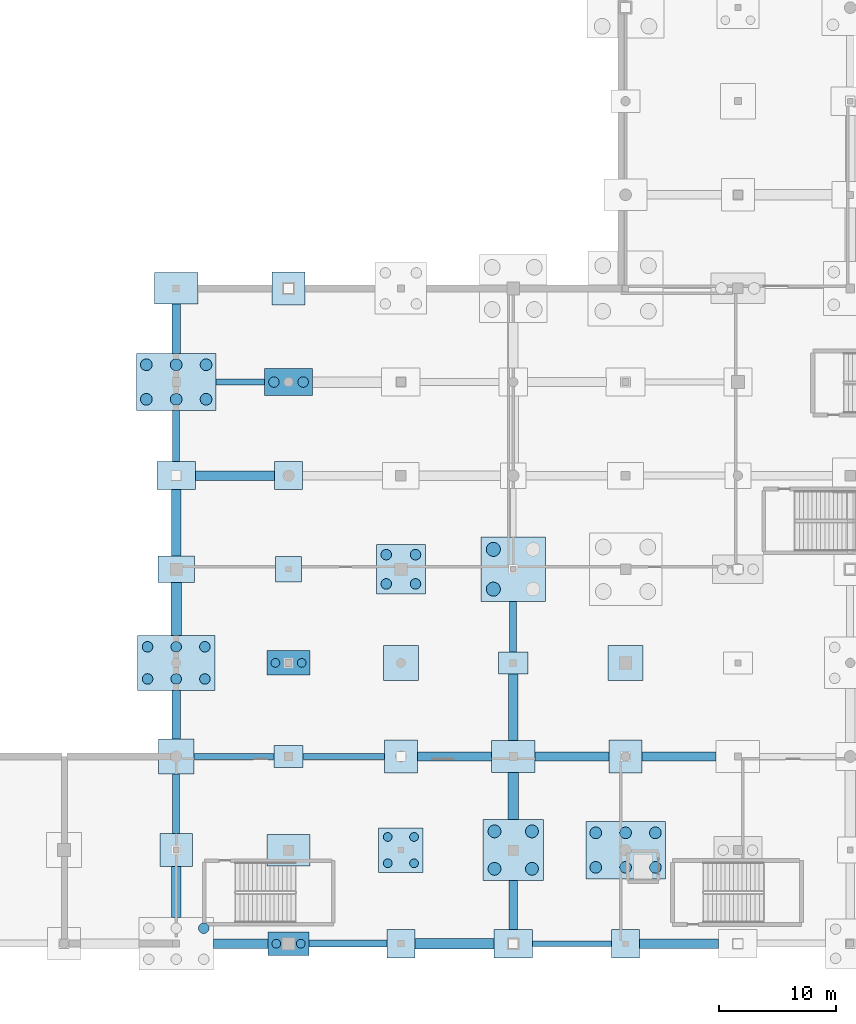
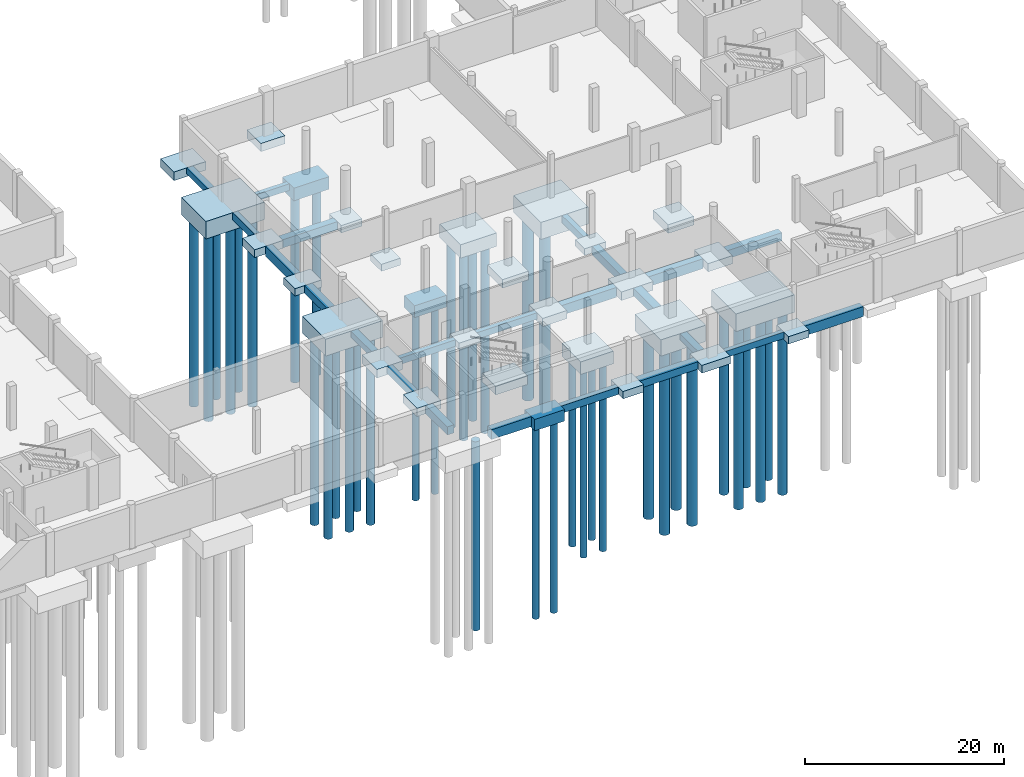
# One storey, part 10 of 44: 52 footings, 39 piles.
"""IFC4 building model written with IfcOpenShell, lengths in metres."""

from ifc_helpers import new_model, si_unit, direction, frame, origin, origin_2d, place, context, subcontext, project, spatial, rectangle, circle, extrude, material, material_profile, profile_set, type_object, element, save


model = new_model("IFC4")

# Units and contexts
model_context = context("Model", 3, precision=1e-05, world=origin(), true_north=direction((0.0, 1.0)))
body_context = subcontext(model_context, "Body", "Model", "MODEL_VIEW")
ifc_project = project(units=[si_unit("LENGTHUNIT", "METRE"), si_unit("AREAUNIT", "SQUARE_METRE"), si_unit("VOLUMEUNIT", "CUBIC_METRE"), si_unit("PLANEANGLEUNIT", "RADIAN"), si_unit("MASSUNIT", "GRAM", prefix="KILO")], contexts=[model_context])

# Site, building, storey
site_placement = place(None, origin())
site = spatial("IfcSite", under=ifc_project, at=site_placement, CompositionType="ELEMENT")
building_placement = place(site_placement, origin())
building = spatial("IfcBuilding", under=site, at=building_placement, Name="Danafjord Basin Convention Centre", CompositionType="ELEMENT")
storey_placement = place(building_placement, frame((0.0, 0.0, -5.39990234375)))
storey = spatial("IfcBuildingStorey", under=building, at=storey_placement, Name="B1", CompositionType="ELEMENT", Elevation=-5.39990234375)

# Footings
ifc_material_1 = material(Name="Concrete C40/50", Category="concrete")
footing_type_1 = type_object("IfcFootingType", Name="CAP-PC-01", PredefinedType="PILE_CAP", material=ifc_material_1)
footing_1_placement = place(storey_placement, frame((153.60009765625, 8.0, -1.400146484375), z_axis=(0.0, 0.0, 1.0), x_axis=(1.0, 0.0, 0.0)))
element("IfcFooting", 1, at=footing_1_placement, inside=storey, type_object=footing_type_1, Name="B1 pile cap PC-01 at (153.6, 8.0)", PredefinedType="PILE_CAP", context=body_context, shape_type="SweptSolid", body=[
    extrude(rectangle(XDim=3.5, YDim=2.0, at=origin_2d()), origin(), (0.0, 0.0, 1.0), 1.39990234375),
])
footing_type_2 = type_object("IfcFootingType", Name="CAP-PC-02", PredefinedType="PILE_CAP", material=ifc_material_1)
footing_2_placement = place(storey_placement, frame((153.60009765625, 32.0, -2.0), z_axis=(0.0, 0.0, 1.0), x_axis=(1.0, 0.0, 0.0)))
element("IfcFooting", 2, at=footing_2_placement, inside=storey, type_object=footing_type_2, Name="B1 pile cap PC-02 at (153.6, 32.0)", PredefinedType="PILE_CAP", context=body_context, shape_type="SweptSolid", body=[
    extrude(rectangle(XDim=3.699951171875, YDim=2.10009765625, at=origin_2d()), origin(), (0.0, 0.0, 1.0), 1.449951171875),
])
footing_type_3 = type_object("IfcFootingType", Name="CAP-PC-03", PredefinedType="PILE_CAP", material=ifc_material_1)
footing_3_placement = place(storey_placement, frame((153.60009765625, 56.0, -2.10009765625), z_axis=(0.0, 0.0, 1.0), x_axis=(1.0, 0.0, 0.0)))
element("IfcFooting", 3, at=footing_3_placement, inside=storey, type_object=footing_type_3, Name="B1 pile cap PC-03 at (153.6, 56.0)", PredefinedType="PILE_CAP", context=body_context, shape_type="SweptSolid", body=[
    extrude(rectangle(XDim=4.10009765625, YDim=2.300048828125, at=origin_2d()), origin(), (0.0, 0.0, 1.0), 1.550048828125),
])
footing_type_4 = type_object("IfcFootingType", Name="CAP-PC-07", PredefinedType="PILE_CAP", material=ifc_material_1)
footing_4_placement = place(storey_placement, frame((163.199951171875, 16.0, -2.10009765625), z_axis=(0.0, 0.0, 1.0), x_axis=(1.0, 0.0, 0.0)))
element("IfcFooting", 4, at=footing_4_placement, inside=storey, type_object=footing_type_4, Name="B1 pile cap PC-07 at (163.2, 16.0)", PredefinedType="PILE_CAP", context=body_context, shape_type="SweptSolid", body=[
    extrude(rectangle(XDim=3.800048828125, YDim=3.800048828125, at=origin_2d()), origin(), (0.0, 0.0, 1.0), 1.550048828125),
])
footing_type_5 = type_object("IfcFootingType", Name="CAP-PC-08", PredefinedType="PILE_CAP", material=ifc_material_1)
footing_5_placement = place(storey_placement, frame((163.199951171875, 40.0, -2.199951171875), z_axis=(0.0, 0.0, 1.0), x_axis=(1.0, 0.0, 0.0)))
element("IfcFooting", 5, at=footing_5_placement, inside=storey, type_object=footing_type_5, Name="B1 pile cap PC-08 at (163.2, 40.0)", PredefinedType="PILE_CAP", context=body_context, shape_type="SweptSolid", body=[
    extrude(rectangle(XDim=4.199951171875, YDim=4.199951171875, at=origin_2d()), origin(), (0.0, 0.0, 1.0), 1.64990234375),
])
footing_type_6 = type_object("IfcFootingType", Name="CAP-PC-13", PredefinedType="PILE_CAP", material=ifc_material_1)
footing_6_placement = place(storey_placement, frame((172.800048828125, 16.0, -2.550048828125), z_axis=(0.0, 0.0, 1.0), x_axis=(1.0, 0.0, 0.0)))
element("IfcFooting", 6, at=footing_6_placement, inside=storey, type_object=footing_type_6, Name="B1 pile cap PC-13 at (172.8, 16.0)", PredefinedType="PILE_CAP", context=body_context, shape_type="SweptSolid", body=[
    extrude(rectangle(XDim=5.199951171875, YDim=5.199951171875, at=origin_2d()), origin(), (0.0, 0.0, 1.0), 2.0),
])
footing_type_7 = type_object("IfcFootingType", Name="CAP-PC-14", PredefinedType="PILE_CAP", material=ifc_material_1)
footing_7_placement = place(storey_placement, frame((172.800048828125, 40.0, -2.650146484375), z_axis=(0.0, 0.0, 1.0), x_axis=(1.0, 0.0, 0.0)))
element("IfcFooting", 7, at=footing_7_placement, inside=storey, type_object=footing_type_7, Name="B1 pile cap PC-14 at (172.8, 40.0)", PredefinedType="PILE_CAP", context=body_context, shape_type="SweptSolid", body=[
    extrude(rectangle(XDim=5.5, YDim=5.5, at=origin_2d()), origin(), (0.0, 0.0, 1.0), 2.10009765625),
])
footing_type_8 = type_object("IfcFootingType", Name="CAP-PC-18", PredefinedType="PILE_CAP", material=ifc_material_1)
footing_8_placement = place(storey_placement, frame((144.0, 32.0, -2.05029296875), z_axis=(0.0, 0.0, 1.0), x_axis=(1.0, 0.0, 0.0)))
element("IfcFooting", 8, at=footing_8_placement, inside=storey, type_object=footing_type_8, Name="B1 pile cap PC-18 at (144.0, 32.0)", PredefinedType="PILE_CAP", context=body_context, shape_type="SweptSolid", body=[
    extrude(rectangle(XDim=6.60009765625, YDim=4.699951171875, at=origin_2d()), origin(), (0.0, 0.0, 1.0), 2.050048828125),
])
footing_type_9 = type_object("IfcFootingType", Name="CAP-PC-19", PredefinedType="PILE_CAP", material=ifc_material_1)
for number, where, z_axis, x_axis, name in (
    (9, (144.0, 56.0, -2.150146484375), (0.0, 0.0, 1.0), (1.0, 0.0, 0.0), "B1 pile cap PC-19 at (144.0, 56.0)"),
    (10, (182.39990234375, 16.0, -2.699951171875), (0.0, 0.0, 1.0), (1.0, 0.0, 0.0), "B1 pile cap PC-19 at (182.4, 16.0)"),
):
    element("IfcFooting", number, at=place(storey_placement, frame(where, z_axis=z_axis, x_axis=x_axis)), inside=storey, type_object=footing_type_9, Name=name, PredefinedType="PILE_CAP", context=body_context, shape_type="SweptSolid", body=[
        extrude(rectangle(XDim=6.800048828125, YDim=4.89990234375, at=origin_2d()), origin(), (0.0, 0.0, 1.0), 2.14990234375),
    ])
ifc_material_profile_1 = material_profile(ifc_material_1, rectangle(XDim=0.800048828125, YDim=1.0, at=origin_2d()), Name="GB 800x1000")
ifc_profile_set_1 = profile_set([ifc_material_profile_1], Name="Concrete C40/50")
footing_type_10 = type_object("IfcFootingType", Name="FBM-FB-01", PredefinedType="FOOTING_BEAM", material=ifc_profile_set_1)
footing_9_placement = place(storey_placement, frame((144.0, 10.25, -0.5), z_axis=(0.0, 1.0, 0.0), x_axis=(-1.0, 0.0, 0.0)))
element("IfcFooting", 11, at=footing_9_placement, inside=storey, type_object=footing_type_10, Name="B1 foundation tie beam FB-01", PredefinedType="FOOTING_BEAM", context=body_context, shape_type="SweptSolid", body=[
    extrude(rectangle(XDim=0.800048828125, YDim=1.0, at=origin_2d()), origin(), (0.0, 0.0, 1.0), 4.35009765625),
])
footing_10_placement = place(storey_placement, frame((145.64990234375, 48.0, -1.050048828125), z_axis=(1.0, 0.0, 0.0), x_axis=(0.0, 1.0, 0.0)))
element("IfcFooting", 12, at=footing_10_placement, inside=storey, type_object=footing_type_10, Name="B1 foundation beam FB-01", PredefinedType="FOOTING_BEAM", context=body_context, shape_type="SweptSolid", body=[
    extrude(rectangle(XDim=0.800048828125, YDim=1.0, at=origin_2d()), origin(), (0.0, 0.0, 1.0), 6.75),
])
footing_11_placement = place(storey_placement, frame((172.800048828125, 25.35009765625, -1.050048828125), z_axis=(0.0, 1.0, 0.0), x_axis=(-1.0, 0.0, 0.0)))
element("IfcFooting", 13, at=footing_11_placement, inside=storey, type_object=footing_type_10, Name="B1 foundation tie beam FB-01", PredefinedType="FOOTING_BEAM", context=body_context, shape_type="SweptSolid", body=[
    extrude(rectangle(XDim=0.800048828125, YDim=1.0, at=origin_2d()), origin(), (0.0, 0.0, 1.0), 5.699951171875),
])
footing_12_placement = place(storey_placement, frame((183.800048828125, 24.0, -1.050048828125), z_axis=(1.0, 0.0, 0.0), x_axis=(0.0, 1.0, 0.0)))
element("IfcFooting", 14, at=footing_12_placement, inside=storey, type_object=footing_type_10, Name="B1 foundation beam FB-01", PredefinedType="FOOTING_BEAM", context=body_context, shape_type="SweptSolid", body=[
    extrude(rectangle(XDim=0.800048828125, YDim=1.0, at=origin_2d()), origin(), (0.0, 0.0, 1.0), 6.349853515625),
])
ifc_material_profile_2 = material_profile(ifc_material_1, rectangle(XDim=0.60009765625, YDim=0.89990234375, at=origin_2d()), Name="GB 600x900")
ifc_profile_set_2 = profile_set([ifc_material_profile_2], Name="Concrete C40/50")
footing_type_11 = type_object("IfcFootingType", Name="FBM-FB-02", PredefinedType="FOOTING_BEAM", material=ifc_profile_set_2)
footing_13_placement = place(storey_placement, frame((144.0, 17.39990234375, -0.4501953125), z_axis=(0.0, 1.0, 0.0), x_axis=(-1.0, 0.0, 0.0)))
element("IfcFooting", 15, at=footing_13_placement, inside=storey, type_object=footing_type_11, Name="B1 foundation tie beam FB-02", PredefinedType="FOOTING_BEAM", context=body_context, shape_type="SweptSolid", body=[
    extrude(rectangle(XDim=0.60009765625, YDim=0.89990234375, at=origin_2d()), origin(), (0.0, 0.0, 1.0), 5.10009765625),
])
footing_14_placement = place(storey_placement, frame((144.0, 49.199951171875, -0.4501953125), z_axis=(0.0, 1.0, 0.0), x_axis=(-1.0, 0.0, 0.0)))
element("IfcFooting", 16, at=footing_14_placement, inside=storey, type_object=footing_type_11, Name="B1 foundation tie beam FB-02", PredefinedType="FOOTING_BEAM", context=body_context, shape_type="SweptSolid", body=[
    extrude(rectangle(XDim=0.60009765625, YDim=0.89990234375, at=origin_2d()), origin(), (0.0, 0.0, 1.0), 4.35009765625),
])
footing_15_placement = place(storey_placement, frame((155.35009765625, 8.0, -0.4501953125), z_axis=(1.0, 0.0, 0.0), x_axis=(0.0, 1.0, 0.0)))
element("IfcFooting", 17, at=footing_15_placement, inside=storey, type_object=footing_type_11, Name="B1 foundation beam FB-02", PredefinedType="FOOTING_BEAM", context=body_context, shape_type="SweptSolid", body=[
    extrude(rectangle(XDim=0.60009765625, YDim=0.89990234375, at=origin_2d()), origin(), (0.0, 0.0, 1.0), 6.64990234375),
])
footing_16_placement = place(storey_placement, frame((172.800048828125, 32.949951171875, -1.0), z_axis=(0.0, 1.0, 0.0), x_axis=(-1.0, 0.0, 0.0)))
element("IfcFooting", 18, at=footing_16_placement, inside=storey, type_object=footing_type_11, Name="B1 foundation tie beam FB-02", PredefinedType="FOOTING_BEAM", context=body_context, shape_type="SweptSolid", body=[
    extrude(rectangle(XDim=0.60009765625, YDim=0.89990234375, at=origin_2d()), origin(), (0.0, 0.0, 1.0), 4.300048828125),
])
ifc_material_profile_3 = material_profile(ifc_material_1, rectangle(XDim=0.5, YDim=0.800048828125, at=origin_2d()), Name="PCB 500x800")
ifc_profile_set_3 = profile_set([ifc_material_profile_3], Name="Concrete C40/50")
footing_type_12 = type_object("IfcFootingType", Name="FBM-FB-03", PredefinedType="FOOTING_BEAM", material=ifc_profile_set_3)
footing_17_placement = place(storey_placement, frame((145.5, 24.0, -0.9501953125), z_axis=(1.0, 0.0, 0.0), x_axis=(0.0, 1.0, 0.0)))
element("IfcFooting", 19, at=footing_17_placement, inside=storey, type_object=footing_type_12, Name="B1 foundation beam FB-03", PredefinedType="FOOTING_BEAM", context=body_context, shape_type="SweptSolid", body=[
    extrude(rectangle(XDim=0.5, YDim=0.800048828125, at=origin_2d()), origin(), (0.0, 0.0, 1.0), 6.85009765625),
])
footing_18_placement = place(storey_placement, frame((147.39990234375, 56.0, -0.9501953125), z_axis=(1.0, 0.0, 0.0), x_axis=(0.0, 1.0, 0.0)))
element("IfcFooting", 20, at=footing_18_placement, inside=storey, type_object=footing_type_12, Name="B1 foundation beam FB-03", PredefinedType="FOOTING_BEAM", context=body_context, shape_type="SweptSolid", body=[
    extrude(rectangle(XDim=0.5, YDim=0.800048828125, at=origin_2d()), origin(), (0.0, 0.0, 1.0), 4.150146484375),
])
footing_19_placement = place(storey_placement, frame((154.85009765625, 24.0, -0.9501953125), z_axis=(1.0, 0.0, 0.0), x_axis=(0.0, 1.0, 0.0)))
element("IfcFooting", 21, at=footing_19_placement, inside=storey, type_object=footing_type_12, Name="B1 foundation beam FB-03", PredefinedType="FOOTING_BEAM", context=body_context, shape_type="SweptSolid", body=[
    extrude(rectangle(XDim=0.5, YDim=0.800048828125, at=origin_2d()), origin(), (0.0, 0.0, 1.0), 6.949951171875),
])
footing_20_placement = place(storey_placement, frame((174.449951171875, 8.0, -0.400146484375), z_axis=(1.0, 0.0, 0.0), x_axis=(0.0, 1.0, 0.0)))
element("IfcFooting", 22, at=footing_20_placement, inside=storey, type_object=footing_type_12, Name="B1 foundation beam FB-03", PredefinedType="FOOTING_BEAM", context=body_context, shape_type="SweptSolid", body=[
    extrude(rectangle(XDim=0.5, YDim=0.800048828125, at=origin_2d()), origin(), (0.0, 0.0, 1.0), 6.75),
])
ifc_material_profile_4 = material_profile(ifc_material_1, rectangle(XDim=0.75, YDim=0.75, at=origin_2d()), Name="RC 750x750")
ifc_profile_set_4 = profile_set([ifc_material_profile_4], Name="Concrete C40/50")
footing_type_13 = type_object("IfcFootingType", Name="FBM-FB-04", PredefinedType="FOOTING_BEAM", material=ifc_profile_set_4)
footing_21_placement = place(storey_placement, frame((144.0, 25.5, -0.375), z_axis=(0.0, 1.0, 0.0), x_axis=(-1.0, 0.0, 0.0)))
element("IfcFooting", 23, at=footing_21_placement, inside=storey, type_object=footing_type_13, Name="B1 foundation tie beam FB-04", PredefinedType="FOOTING_BEAM", context=body_context, shape_type="SweptSolid", body=[
    extrude(rectangle(XDim=0.75, YDim=0.75, at=origin_2d()), origin(), (0.0, 0.0, 1.0), 4.14990234375),
])
for number, where, z_axis, x_axis, name in (
    (24, (144.0, 58.449951171875, -0.375), (0.0, 1.0, 0.0), (-1.0, 0.0, 0.0), "B1 foundation tie beam FB-04"),
    (25, (172.800048828125, 9.199951171875, -0.925048828125), (0.0, 1.0, 0.0), (-1.0, 0.0, 0.0), "B1 foundation tie beam FB-04"),
):
    element("IfcFooting", number, at=place(storey_placement, frame(where, z_axis=z_axis, x_axis=x_axis)), inside=storey, type_object=footing_type_13, Name=name, PredefinedType="FOOTING_BEAM", context=body_context, shape_type="SweptSolid", body=[
        extrude(rectangle(XDim=0.75, YDim=0.75, at=origin_2d()), origin(), (0.0, 0.0, 1.0), 4.199951171875),
    ])
ifc_material_profile_5 = material_profile(ifc_material_1, rectangle(XDim=0.89990234375, YDim=0.89990234375, at=origin_2d()), Name="RC 900x900")
ifc_profile_set_5 = profile_set([ifc_material_profile_5], Name="Concrete C40/50")
footing_type_14 = type_object("IfcFootingType", Name="FBM-FB-05", PredefinedType="FOOTING_BEAM", material=ifc_profile_set_5)
footing_22_placement = place(storey_placement, frame((144.0, 34.35009765625, -0.4501953125), z_axis=(0.0, 1.0, 0.0), x_axis=(-1.0, 0.0, 0.0)))
element("IfcFooting", 26, at=footing_22_placement, inside=storey, type_object=footing_type_14, Name="B1 foundation tie beam FB-05", PredefinedType="FOOTING_BEAM", context=body_context, shape_type="SweptSolid", body=[
    extrude(rectangle(XDim=0.89990234375, YDim=0.89990234375, at=origin_2d()), origin(), (0.0, 0.0, 1.0), 4.52490234375),
])
footing_23_placement = place(storey_placement, frame((164.39990234375, 8.0, -0.4501953125), z_axis=(1.0, 0.0, 0.0), x_axis=(0.0, 1.0, 0.0)))
element("IfcFooting", 27, at=footing_23_placement, inside=storey, type_object=footing_type_14, Name="B1 foundation beam FB-05", PredefinedType="FOOTING_BEAM", context=body_context, shape_type="SweptSolid", body=[
    extrude(rectangle(XDim=0.89990234375, YDim=0.89990234375, at=origin_2d()), origin(), (0.0, 0.0, 1.0), 6.75),
])
footing_24_placement = place(storey_placement, frame((172.800048828125, 18.60009765625, -1.0), z_axis=(0.0, 1.0, 0.0), x_axis=(-1.0, 0.0, 0.0)))
element("IfcFooting", 28, at=footing_24_placement, inside=storey, type_object=footing_type_14, Name="B1 foundation tie beam FB-05", PredefinedType="FOOTING_BEAM", context=body_context, shape_type="SweptSolid", body=[
    extrude(rectangle(XDim=0.89990234375, YDim=0.89990234375, at=origin_2d()), origin(), (0.0, 0.0, 1.0), 4.0498046875),
])
ifc_material_profile_6 = material_profile(ifc_material_1, rectangle(XDim=0.800048828125, YDim=1.199951171875, at=origin_2d()), Name="RC 1200x800")
ifc_profile_set_6 = profile_set([ifc_material_profile_6], Name="Concrete C40/50")
footing_type_15 = type_object("IfcFootingType", Name="FBM-FB-06", PredefinedType="FOOTING_BEAM", material=ifc_profile_set_6)
footing_25_placement = place(storey_placement, frame((147.199951171875, 8.0, -0.60009765625), z_axis=(1.0, 0.0, 0.0), x_axis=(0.0, 1.0, 0.0)))
element("IfcFooting", 29, at=footing_25_placement, inside=storey, type_object=footing_type_15, Name="B1 foundation beam FB-06", PredefinedType="FOOTING_BEAM", context=body_context, shape_type="SweptSolid", body=[
    extrude(rectangle(XDim=0.800048828125, YDim=1.199951171875, at=origin_2d()), origin(), (0.0, 0.0, 1.0), 4.650146484375),
])
footing_26_placement = place(storey_placement, frame((144.0, 41.125, -0.60009765625), z_axis=(0.0, 1.0, 0.0), x_axis=(-1.0, 0.0, 0.0)))
element("IfcFooting", 30, at=footing_26_placement, inside=storey, type_object=footing_type_15, Name="B1 foundation tie beam FB-06", PredefinedType="FOOTING_BEAM", context=body_context, shape_type="SweptSolid", body=[
    extrude(rectangle(XDim=0.800048828125, YDim=1.199951171875, at=origin_2d()), origin(), (0.0, 0.0, 1.0), 5.675048828125),
])
footing_27_placement = place(storey_placement, frame((164.60009765625, 24.0, -1.150146484375), z_axis=(1.0, 0.0, 0.0), x_axis=(0.0, 1.0, 0.0)))
element("IfcFooting", 31, at=footing_27_placement, inside=storey, type_object=footing_type_15, Name="B1 foundation beam FB-06", PredefinedType="FOOTING_BEAM", context=body_context, shape_type="SweptSolid", body=[
    extrude(rectangle(XDim=0.800048828125, YDim=1.199951171875, at=origin_2d()), origin(), (0.0, 0.0, 1.0), 6.349853515625),
])
footing_28_placement = place(storey_placement, frame((174.64990234375, 24.0, -1.150146484375), z_axis=(1.0, 0.0, 0.0), x_axis=(0.0, 1.0, 0.0)))
element("IfcFooting", 32, at=footing_28_placement, inside=storey, type_object=footing_type_15, Name="B1 foundation beam FB-06", PredefinedType="FOOTING_BEAM", context=body_context, shape_type="SweptSolid", body=[
    extrude(rectangle(XDim=0.800048828125, YDim=1.199951171875, at=origin_2d()), origin(), (0.0, 0.0, 1.0), 6.35009765625),
])
footing_29_placement = place(storey_placement, frame((183.60009765625, 8.0, -0.60009765625), z_axis=(1.0, 0.0, 0.0), x_axis=(0.0, 1.0, 0.0)))
element("IfcFooting", 33, at=footing_29_placement, inside=storey, type_object=footing_type_15, Name="B1 foundation beam FB-06", PredefinedType="FOOTING_BEAM", context=body_context, shape_type="SweptSolid", body=[
    extrude(rectangle(XDim=0.800048828125, YDim=1.199951171875, at=origin_2d()), origin(), (0.0, 0.0, 1.0), 6.75),
])
ifc_material_2 = material(Name="Concrete C35/45", Category="concrete")
footing_type_16 = type_object("IfcFootingType", Name="PAD-PF-02", PredefinedType="PAD_FOOTING", material=ifc_material_2)
footing_30_placement = place(storey_placement, frame((153.60009765625, 40.0, -1.400146484375), z_axis=(0.0, 0.0, 1.0), x_axis=(1.0, 0.0, 0.0)))
element("IfcFooting", 34, at=footing_30_placement, inside=storey, type_object=footing_type_16, Name="B1 pad footing PF-02 at (153.6, 40.0)", PredefinedType="PAD_FOOTING", context=body_context, shape_type="SweptSolid", body=[
    extrude(rectangle(XDim=2.199951171875, YDim=2.199951171875, at=origin_2d()), origin(), (0.0, 0.0, 1.0), 0.85009765625),
])
footing_type_17 = type_object("IfcFootingType", Name="PAD-PF-03", PredefinedType="PAD_FOOTING", material=ifc_material_2)
for number, where, z_axis, x_axis, name in (
    (35, (153.60009765625, 48.0, -1.449951171875), (0.0, 0.0, 1.0), (1.0, 0.0, 0.0), "B1 pad footing PF-03 at (153.6, 48.0)"),
    (36, (163.199951171875, 8.0, -0.900146484375), (0.0, 0.0, 1.0), (1.0, 0.0, 0.0), "B1 pad footing PF-03 at (163.2, 8.0)"),
    (37, (182.39990234375, 8.0, -0.900146484375), (0.0, 0.0, 1.0), (1.0, 0.0, 0.0), "B1 pad footing PF-03 at (182.4, 8.0)"),
):
    element("IfcFooting", number, at=place(storey_placement, frame(where, z_axis=z_axis, x_axis=x_axis)), inside=storey, type_object=footing_type_17, Name=name, PredefinedType="PAD_FOOTING", context=body_context, shape_type="SweptSolid", body=[
        extrude(rectangle(XDim=2.39990234375, YDim=2.39990234375, at=origin_2d()), origin(), (0.0, 0.0, 1.0), 0.89990234375),
    ])
footing_type_18 = type_object("IfcFootingType", Name="PAD-PF-05", PredefinedType="PAD_FOOTING", material=ifc_material_2)
for number, where, z_axis, x_axis, name in (
    (38, (144.0, 16.0, -1.0), (0.0, 0.0, 1.0), (1.0, 0.0, 0.0), "B1 pad footing PF-05 at (144.0, 16.0)"),
    (39, (153.60009765625, 64.0, -1.0), (0.0, 0.0, 1.0), (1.0, 0.0, 0.0), "B1 pad footing PF-05 at (153.6, 64.0)"),
    (40, (163.199951171875, 24.0, -1.550048828125), (0.0, 0.0, 1.0), (1.0, 0.0, 0.0), "B1 pad footing PF-05 at (163.2, 24.0)"),
    (41, (182.39990234375, 24.0, -1.550048828125), (0.0, 0.0, 1.0), (1.0, 0.0, 0.0), "B1 pad footing PF-05 at (182.4, 24.0)"),
):
    element("IfcFooting", number, at=place(storey_placement, frame(where, z_axis=z_axis, x_axis=x_axis)), inside=storey, type_object=footing_type_18, Name=name, PredefinedType="PAD_FOOTING", context=body_context, shape_type="SweptSolid", body=[
        extrude(rectangle(XDim=2.800048828125, YDim=2.800048828125, at=origin_2d()), origin(), (0.0, 0.0, 1.0), 1.0),
    ])
footing_type_19 = type_object("IfcFootingType", Name="PAD-PF-06", PredefinedType="PAD_FOOTING", material=ifc_material_2)
for number, where, z_axis, x_axis, name in (
    (42, (144.0, 24.0, -1.05029296875), (0.0, 0.0, 1.0), (1.0, 0.0, 0.0), "B1 pad footing PF-06 at (144.0, 24.0)"),
    (43, (163.199951171875, 32.0, -1.60009765625), (0.0, 0.0, 1.0), (1.0, 0.0, 0.0), "B1 pad footing PF-06 at (163.2, 32.0)"),
    (44, (182.39990234375, 32.0, -1.60009765625), (0.0, 0.0, 1.0), (1.0, 0.0, 0.0), "B1 pad footing PF-06 at (182.4, 32.0)"),
):
    element("IfcFooting", number, at=place(storey_placement, frame(where, z_axis=z_axis, x_axis=x_axis)), inside=storey, type_object=footing_type_19, Name=name, PredefinedType="PAD_FOOTING", context=body_context, shape_type="SweptSolid", body=[
        extrude(rectangle(XDim=3.0, YDim=3.0, at=origin_2d()), origin(), (0.0, 0.0, 1.0), 1.050048828125),
    ])
footing_type_20 = type_object("IfcFootingType", Name="PAD-PF-08", PredefinedType="PAD_FOOTING", material=ifc_material_2)
footing_31_placement = place(storey_placement, frame((144.0, 40.0, -0.900146484375), z_axis=(0.0, 0.0, 1.0), x_axis=(1.0, 0.0, 0.0)))
element("IfcFooting", 45, at=footing_31_placement, inside=storey, type_object=footing_type_20, Name="B1 pad footing PF-08 at (144.0, 40.0)", PredefinedType="PAD_FOOTING", context=body_context, shape_type="SweptSolid", body=[
    extrude(rectangle(XDim=3.10009765625, YDim=2.25, at=origin_2d()), origin(), (0.0, 0.0, 1.0), 0.89990234375),
])
footing_type_21 = type_object("IfcFootingType", Name="PAD-PF-09", PredefinedType="PAD_FOOTING", material=ifc_material_2)
for number, where, z_axis, x_axis, name in (
    (46, (144.0, 48.0, -0.9501953125), (0.0, 0.0, 1.0), (1.0, 0.0, 0.0), "B1 pad footing PF-09 at (144.0, 48.0)"),
    (47, (172.800048828125, 8.0, -0.9501953125), (0.0, 0.0, 1.0), (1.0, 0.0, 0.0), "B1 pad footing PF-09 at (172.8, 8.0)"),
):
    element("IfcFooting", number, at=place(storey_placement, frame(where, z_axis=z_axis, x_axis=x_axis)), inside=storey, type_object=footing_type_21, Name=name, PredefinedType="PAD_FOOTING", context=body_context, shape_type="SweptSolid", body=[
        extrude(rectangle(XDim=3.300048828125, YDim=2.39990234375, at=origin_2d()), origin(), (0.0, 0.0, 1.0), 0.949951171875),
    ])
footing_type_22 = type_object("IfcFootingType", Name="PAD-PF-11", PredefinedType="PAD_FOOTING", material=ifc_material_2)
for number, where, z_axis, x_axis, name in (
    (48, (144.0, 64.0, -1.05029296875), (0.0, 0.0, 1.0), (1.0, 0.0, 0.0), "B1 pad footing PF-11 at (144.0, 64.0)"),
    (49, (153.60009765625, 16.0, -1.60009765625), (0.0, 0.0, 1.0), (1.0, 0.0, 0.0), "B1 pad footing PF-11 at (153.6, 16.0)"),
    (50, (172.800048828125, 24.0, -1.60009765625), (0.0, 0.0, 1.0), (1.0, 0.0, 0.0), "B1 pad footing PF-11 at (172.8, 24.0)"),
):
    element("IfcFooting", number, at=place(storey_placement, frame(where, z_axis=z_axis, x_axis=x_axis)), inside=storey, type_object=footing_type_22, Name=name, PredefinedType="PAD_FOOTING", context=body_context, shape_type="SweptSolid", body=[
        extrude(rectangle(XDim=3.699951171875, YDim=2.699951171875, at=origin_2d()), origin(), (0.0, 0.0, 1.0), 1.050048828125),
    ])
footing_type_23 = type_object("IfcFootingType", Name="PAD-PF-12", PredefinedType="PAD_FOOTING", material=ifc_material_2)
for number, where, z_axis, x_axis, name in (
    (51, (153.60009765625, 24.0, -1.35009765625), (0.0, 0.0, 1.0), (1.0, 0.0, 0.0), "B1 pad footing PF-12 at (153.6, 24.0)"),
    (52, (172.800048828125, 32.0, -1.35009765625), (0.0, 0.0, 1.0), (1.0, 0.0, 0.0), "B1 pad footing PF-12 at (172.8, 32.0)"),
):
    element("IfcFooting", number, at=place(storey_placement, frame(where, z_axis=z_axis, x_axis=x_axis)), inside=storey, type_object=footing_type_23, Name=name, PredefinedType="PAD_FOOTING", context=body_context, shape_type="SweptSolid", body=[
        extrude(rectangle(XDim=2.5, YDim=1.89990234375, at=origin_2d()), origin(), (0.0, 0.0, 1.0), 0.800048828125),
    ])

# Piles
ifc_material_profile_7 = material_profile(ifc_material_1, circle(Radius=0.5, at=origin_2d()), Name="PILE D1000")
ifc_profile_set_7 = profile_set([ifc_material_profile_7], Name="Concrete C40/50")
pile_type_1 = type_object("IfcPileType", Name="PILE-PL-1000", PredefinedType="BORED", material=ifc_profile_set_7)
for number, where, z_axis, x_axis, name in (
    (53, (141.449951171875, 54.52490234375, -2.050048828125), (0.0, 0.0, -1.0), (1.0, 0.0, 0.0), "PC-19 bored pile 1-1"),
    (54, (141.449951171875, 57.47509765625, -2.050048828125), (0.0, 0.0, -1.0), (1.0, 0.0, 0.0), "PC-19 bored pile 1-2"),
    (55, (144.0, 54.52490234375, -2.050048828125), (0.0, 0.0, -1.0), (1.0, 0.0, 0.0), "PC-19 bored pile 2-1"),
    (56, (144.0, 57.47509765625, -2.050048828125), (0.0, 0.0, -1.0), (1.0, 0.0, 0.0), "PC-19 bored pile 2-2"),
    (57, (146.550048828125, 54.52490234375, -2.050048828125), (0.0, 0.0, -1.0), (1.0, 0.0, 0.0), "PC-19 bored pile 3-1"),
    (58, (146.550048828125, 57.47509765625, -2.050048828125), (0.0, 0.0, -1.0), (1.0, 0.0, 0.0), "PC-19 bored pile 3-2"),
):
    element("IfcPile", number, at=place(storey_placement, frame(where, z_axis=z_axis, x_axis=x_axis)), inside=storey, type_object=pile_type_1, Name=name, PredefinedType="BORED", context=body_context, shape_type="SweptSolid", body=[
        extrude(circle(Radius=0.5, at=origin_2d()), origin(), (0.0, 0.0, 1.0), 23.050048828125),
    ])
for number, where, z_axis, x_axis, name in (
    (59, (179.85009765625, 14.52490234375, -2.60009765625), (0.0, 0.0, -1.0), (1.0, 0.0, 0.0), "PC-19 bored pile 1-1"),
    (60, (179.85009765625, 17.47509765625, -2.60009765625), (0.0, 0.0, -1.0), (1.0, 0.0, 0.0), "PC-19 bored pile 1-2"),
    (61, (182.39990234375, 14.52490234375, -2.60009765625), (0.0, 0.0, -1.0), (1.0, 0.0, 0.0), "PC-19 bored pile 2-1"),
    (62, (182.39990234375, 17.47509765625, -2.60009765625), (0.0, 0.0, -1.0), (1.0, 0.0, 0.0), "PC-19 bored pile 2-2"),
    (63, (184.949951171875, 14.52490234375, -2.60009765625), (0.0, 0.0, -1.0), (1.0, 0.0, 0.0), "PC-19 bored pile 3-1"),
    (64, (184.949951171875, 17.47509765625, -2.60009765625), (0.0, 0.0, -1.0), (1.0, 0.0, 0.0), "PC-19 bored pile 3-2"),
):
    element("IfcPile", number, at=place(storey_placement, frame(where, z_axis=z_axis, x_axis=x_axis)), inside=storey, type_object=pile_type_1, Name=name, PredefinedType="BORED", context=body_context, shape_type="SweptSolid", body=[
        extrude(circle(Radius=0.5, at=origin_2d()), origin(), (0.0, 0.0, 1.0), 22.5),
    ])
ifc_material_profile_8 = material_profile(ifc_material_1, circle(Radius=0.550048828125, at=origin_2d()), Name="PILE D1100")
ifc_profile_set_8 = profile_set([ifc_material_profile_8], Name="Concrete C40/50")
pile_type_2 = type_object("IfcPileType", Name="PILE-PL-1100", PredefinedType="BORED", material=ifc_profile_set_8)
for number, where, z_axis, x_axis, name in (
    (65, (171.199951171875, 14.39990234375, -2.4501953125), (0.0, 0.0, -1.0), (1.0, 0.0, 0.0), "PC-13 bored pile 1-1"),
    (66, (171.199951171875, 17.60009765625, -2.4501953125), (0.0, 0.0, -1.0), (1.0, 0.0, 0.0), "PC-13 bored pile 1-2"),
    (67, (174.39990234375, 14.39990234375, -2.4501953125), (0.0, 0.0, -1.0), (1.0, 0.0, 0.0), "PC-13 bored pile 2-1"),
    (68, (174.39990234375, 17.60009765625, -2.4501953125), (0.0, 0.0, -1.0), (1.0, 0.0, 0.0), "PC-13 bored pile 2-2"),
):
    element("IfcPile", number, at=place(storey_placement, frame(where, z_axis=z_axis, x_axis=x_axis)), inside=storey, type_object=pile_type_2, Name=name, PredefinedType="BORED", context=body_context, shape_type="SweptSolid", body=[
        extrude(circle(Radius=0.550048828125, at=origin_2d()), origin(), (0.0, 0.0, 1.0), 22.64990234375),
    ])
ifc_material_profile_9 = material_profile(ifc_material_1, circle(Radius=0.60009765625, at=origin_2d()), Name="PILE D1200")
ifc_profile_set_9 = profile_set([ifc_material_profile_9], Name="Concrete C40/50")
pile_type_3 = type_object("IfcPileType", Name="PILE-PL-1200", PredefinedType="BORED", material=ifc_profile_set_9)
for number, where, z_axis, x_axis, name in (
    (69, (171.10009765625, 38.300048828125, -2.550048828125), (0.0, 0.0, -1.0), (1.0, 0.0, 0.0), "PC-14 bored pile 1-1"),
    (70, (171.10009765625, 41.699951171875, -2.550048828125), (0.0, 0.0, -1.0), (1.0, 0.0, 0.0), "PC-14 bored pile 1-2"),
):
    element("IfcPile", number, at=place(storey_placement, frame(where, z_axis=z_axis, x_axis=x_axis)), inside=storey, type_object=pile_type_3, Name=name, PredefinedType="BORED", context=body_context, shape_type="SweptSolid", body=[
        extrude(circle(Radius=0.60009765625, at=origin_2d()), origin(), (0.0, 0.0, 1.0), 22.550048828125),
    ])
ifc_material_profile_10 = material_profile(ifc_material_1, circle(Radius=0.375, at=origin_2d()), Name="PILE D750")
ifc_profile_set_10 = profile_set([ifc_material_profile_10], Name="Concrete C40/50")
pile_type_4 = type_object("IfcPileType", Name="PILE-PL-750", PredefinedType="BORED", material=ifc_profile_set_10)
for number, where, z_axis, x_axis, name in (
    (71, (152.550048828125, 8.0, -1.300048828125), (0.0, 0.0, -1.0), (1.0, 0.0, 0.0), "PC-01 bored pile 1-1"),
    (72, (154.64990234375, 8.0, -1.300048828125), (0.0, 0.0, -1.0), (1.0, 0.0, 0.0), "PC-01 bored pile 2-1"),
):
    element("IfcPile", number, at=place(storey_placement, frame(where, z_axis=z_axis, x_axis=x_axis)), inside=storey, type_object=pile_type_4, Name=name, PredefinedType="BORED", context=body_context, shape_type="SweptSolid", body=[
        extrude(circle(Radius=0.375, at=origin_2d()), origin(), (0.0, 0.0, 1.0), 23.800048828125),
    ])
for number, where, z_axis, x_axis, name in (
    (73, (152.47509765625, 32.0, -1.900146484375), (0.0, 0.0, -1.0), (1.0, 0.0, 0.0), "PC-02 bored pile 1-1"),
    (74, (154.72509765625, 32.0, -1.900146484375), (0.0, 0.0, -1.0), (1.0, 0.0, 0.0), "PC-02 bored pile 2-1"),
):
    element("IfcPile", number, at=place(storey_placement, frame(where, z_axis=z_axis, x_axis=x_axis)), inside=storey, type_object=pile_type_4, Name=name, PredefinedType="BORED", context=body_context, shape_type="SweptSolid", body=[
        extrude(circle(Radius=0.375, at=origin_2d()), origin(), (0.0, 0.0, 1.0), 23.199951171875),
    ])
for number, where, z_axis, x_axis, name in (
    (75, (162.074951171875, 14.875, -2.0), (0.0, 0.0, -1.0), (1.0, 0.0, 0.0), "PC-07 bored pile 1-1"),
    (76, (162.074951171875, 17.125, -2.0), (0.0, 0.0, -1.0), (1.0, 0.0, 0.0), "PC-07 bored pile 1-2"),
    (77, (164.324951171875, 14.875, -2.0), (0.0, 0.0, -1.0), (1.0, 0.0, 0.0), "PC-07 bored pile 2-1"),
    (78, (164.324951171875, 17.125, -2.0), (0.0, 0.0, -1.0), (1.0, 0.0, 0.0), "PC-07 bored pile 2-2"),
):
    element("IfcPile", number, at=place(storey_placement, frame(where, z_axis=z_axis, x_axis=x_axis)), inside=storey, type_object=pile_type_4, Name=name, PredefinedType="BORED", context=body_context, shape_type="SweptSolid", body=[
        extrude(circle(Radius=0.375, at=origin_2d()), origin(), (0.0, 0.0, 1.0), 23.10009765625),
    ])
ifc_material_profile_11 = material_profile(ifc_material_1, circle(Radius=0.449951171875, at=origin_2d()), Name="PILE D900")
ifc_profile_set_11 = profile_set([ifc_material_profile_11], Name="Concrete C40/50")
pile_type_5 = type_object("IfcPileType", Name="PILE-PL-900", PredefinedType="BORED", material=ifc_profile_set_11)
pile_placement = place(storey_placement, frame((146.35009765625, 9.324951171875, -1.900146484375), z_axis=(0.0, 0.0, -1.0), x_axis=(1.0, 0.0, 0.0)))
element("IfcPile", 79, at=pile_placement, inside=storey, type_object=pile_type_5, Name="PC-17 bored pile 3-2", PredefinedType="BORED", context=body_context, shape_type="SweptSolid", body=[
    extrude(circle(Radius=0.449951171875, at=origin_2d()), origin(), (0.0, 0.0, 1.0), 23.199951171875),
])
for number, where, z_axis, x_axis, name in (
    (80, (141.550048828125, 30.625, -1.9501953125), (0.0, 0.0, -1.0), (1.0, 0.0, 0.0), "PC-18 bored pile 1-1"),
    (81, (141.550048828125, 33.375, -1.9501953125), (0.0, 0.0, -1.0), (1.0, 0.0, 0.0), "PC-18 bored pile 1-2"),
    (82, (144.0, 30.625, -1.9501953125), (0.0, 0.0, -1.0), (1.0, 0.0, 0.0), "PC-18 bored pile 2-1"),
    (83, (144.0, 33.375, -1.9501953125), (0.0, 0.0, -1.0), (1.0, 0.0, 0.0), "PC-18 bored pile 2-2"),
    (84, (146.449951171875, 30.625, -1.9501953125), (0.0, 0.0, -1.0), (1.0, 0.0, 0.0), "PC-18 bored pile 3-1"),
    (85, (146.449951171875, 33.375, -1.9501953125), (0.0, 0.0, -1.0), (1.0, 0.0, 0.0), "PC-18 bored pile 3-2"),
):
    element("IfcPile", number, at=place(storey_placement, frame(where, z_axis=z_axis, x_axis=x_axis)), inside=storey, type_object=pile_type_5, Name=name, PredefinedType="BORED", context=body_context, shape_type="SweptSolid", body=[
        extrude(circle(Radius=0.449951171875, at=origin_2d()), origin(), (0.0, 0.0, 1.0), 23.14990234375),
    ])
for number, where, z_axis, x_axis, name in (
    (86, (152.35009765625, 56.0, -2.0), (0.0, 0.0, -1.0), (1.0, 0.0, 0.0), "PC-03 bored pile 1-1"),
    (87, (154.85009765625, 56.0, -2.0), (0.0, 0.0, -1.0), (1.0, 0.0, 0.0), "PC-03 bored pile 2-1"),
):
    element("IfcPile", number, at=place(storey_placement, frame(where, z_axis=z_axis, x_axis=x_axis)), inside=storey, type_object=pile_type_5, Name=name, PredefinedType="BORED", context=body_context, shape_type="SweptSolid", body=[
        extrude(circle(Radius=0.449951171875, at=origin_2d()), origin(), (0.0, 0.0, 1.0), 23.10009765625),
    ])
for number, where, z_axis, x_axis, name in (
    (88, (161.949951171875, 38.75, -2.10009765625), (0.0, 0.0, -1.0), (1.0, 0.0, 0.0), "PC-08 bored pile 1-1"),
    (89, (161.949951171875, 41.25, -2.10009765625), (0.0, 0.0, -1.0), (1.0, 0.0, 0.0), "PC-08 bored pile 1-2"),
    (90, (164.449951171875, 38.75, -2.10009765625), (0.0, 0.0, -1.0), (1.0, 0.0, 0.0), "PC-08 bored pile 2-1"),
    (91, (164.449951171875, 41.25, -2.10009765625), (0.0, 0.0, -1.0), (1.0, 0.0, 0.0), "PC-08 bored pile 2-2"),
):
    element("IfcPile", number, at=place(storey_placement, frame(where, z_axis=z_axis, x_axis=x_axis)), inside=storey, type_object=pile_type_5, Name=name, PredefinedType="BORED", context=body_context, shape_type="SweptSolid", body=[
        extrude(circle(Radius=0.449951171875, at=origin_2d()), origin(), (0.0, 0.0, 1.0), 23.0),
    ])

save(model, "model.ifc")
